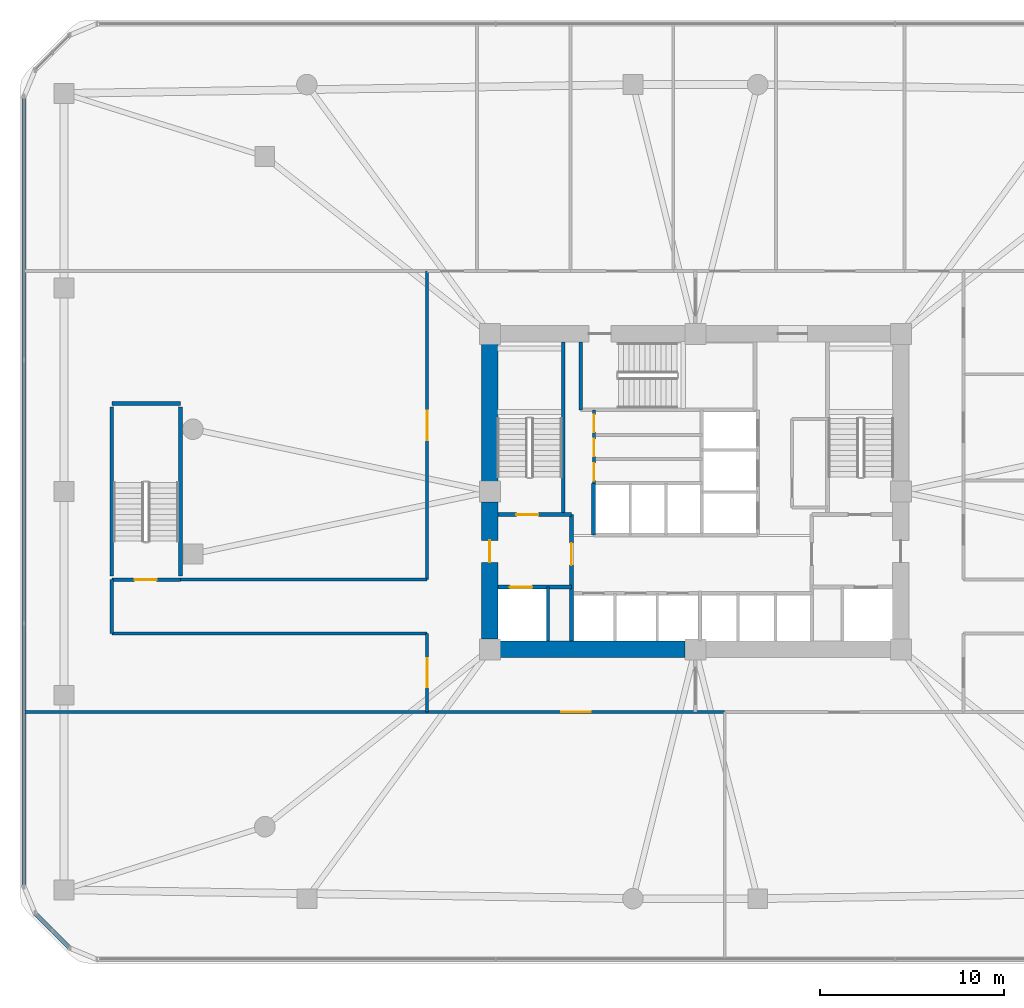
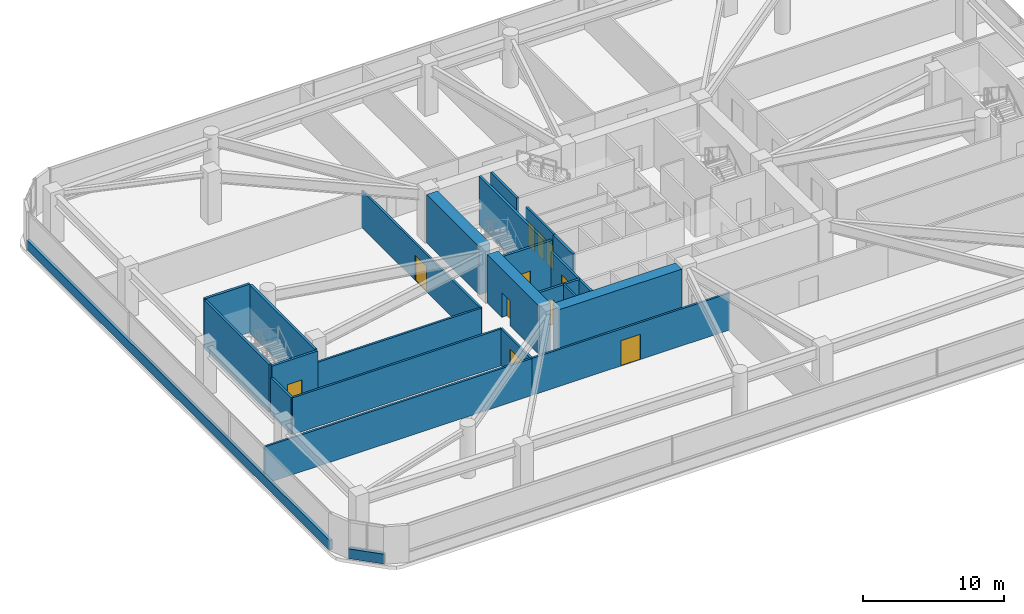
# One storey, part 16 of 21: 24 walls, 11 doors, 11 openings.
"""IFC4 building model written with IfcOpenShell, lengths in metres."""

from ifc_helpers import new_model, si_unit, derived_unit, direction, frame, frame_2d, origin, place, context, subcontext, project, spatial, rectangle, extrude, material, layer, layer_set, type_object, element, fill, save


model = new_model("IFC4")

# Units and contexts
model_context = context("Model", 3, precision=1e-05, world=origin(), true_north=direction((0.0, 1.0)))
body_context = subcontext(model_context, "Body", "Model", "MODEL_VIEW")
ifc_project = project(units=[si_unit("LENGTHUNIT", "METRE"), si_unit("AREAUNIT", "SQUARE_METRE"), si_unit("VOLUMEUNIT", "CUBIC_METRE"), si_unit("PLANEANGLEUNIT", "RADIAN"), si_unit("MASSUNIT", "GRAM", prefix="KILO"), derived_unit("THERMALTRANSMITTANCEUNIT", [(si_unit("POWERUNIT", "WATT"), 1), (si_unit("LENGTHUNIT", "METRE"), -2), (si_unit("THERMODYNAMICTEMPERATUREUNIT", "KELVIN"), -1)])], contexts=[model_context])

# Site, building, storey
site_placement = place(None, origin())
site = spatial("IfcSite", under=ifc_project, at=site_placement, CompositionType="ELEMENT")
building_placement = place(site_placement, origin())
building = spatial("IfcBuilding", under=site, at=building_placement, Name="Koralith Skygarden Medical Center", CompositionType="ELEMENT")
storey_placement = place(building_placement, frame((0.0, 0.0, 14.39990234375)))
storey = spatial("IfcBuildingStorey", under=building, at=storey_placement, Name="L03", CompositionType="ELEMENT", Elevation=14.39990234375)

# Walls
ifc_material_1 = material(Name="Gypsum Board Partition")
ifc_layer_1 = layer(ifc_material_1, 0.1650390625)
ifc_layer_set_1 = layer_set([ifc_layer_1], Name="Gypsum Board Partition")
wall_type_1 = type_object("IfcWallType", Name="Clinical Corridor Partition 165", PredefinedType="PARTITIONING", material=ifc_layer_set_1)
wall_1_placement = place(storey_placement, frame((0.43994140625, 13.889892578125, 0.0), z_axis=(0.0, 0.0, 1.0), x_axis=(1.0, 0.0, 0.0)))
element("IfcWall", 1, at=wall_1_placement, inside=storey, type_object=wall_type_1, Name="L03 Clinical Corridor Partition 165 W-WB-L03-SW", PredefinedType="PARTITIONING", context=body_context, shape_type="SweptSolid", body=[
    extrude(rectangle(XDim=21.949951171875, YDim=0.1650390625, at=frame_2d((10.97509765625, 0.0))), origin(), (0.0, 0.0, 1.0), 3.210205078125),
])
wall_2_placement = place(storey_placement, frame((5.199951171875, 18.169921875, 0.0), z_axis=(0.0, 0.0, 1.0), x_axis=(1.0, 0.0, 0.0)))
element("IfcWall", 2, at=wall_2_placement, inside=storey, type_object=wall_type_1, Name="L03 Clinical Corridor Partition 165 W-PARM-L03-WS", PredefinedType="PARTITIONING", context=body_context, shape_type="SweptSolid", body=[
    extrude(rectangle(XDim=17.18994140625, YDim=0.1650390625, at=frame_2d((8.594970703125, 0.0))), origin(), (0.0, 0.0, 1.0), 3.210205078125),
])
wall_3_placement = place(storey_placement, frame((5.199951171875, 18.169921875, 0.0), z_axis=(0.0, 0.0, 1.0), x_axis=(0.0, 1.0, 0.0)))
element("IfcWall", 3, at=wall_3_placement, inside=storey, type_object=wall_type_1, Name="L03 Clinical Corridor Partition 165 W-PARM-L03-WW", PredefinedType="PARTITIONING", context=body_context, shape_type="SweptSolid", body=[
    extrude(rectangle(XDim=2.93017578125, YDim=0.1650390625, at=frame_2d((1.465087890625, 0.0))), origin(), (0.0, 0.0, 1.0), 3.210205078125),
])
wall_4_placement = place(storey_placement, frame((8.949951171875, 21.10009765625, 0.0), z_axis=(0.0, 0.0, 1.0), x_axis=(1.0, 0.0, 0.0)))
element("IfcWall", 4, at=wall_4_placement, inside=storey, type_object=wall_type_1, Name="L03 Clinical Corridor Partition 165 W-PARM-L03-WN", PredefinedType="PARTITIONING", context=body_context, shape_type="SweptSolid", body=[
    extrude(rectangle(XDim=13.43994140625, YDim=0.1650390625, at=frame_2d((6.719970703125, 0.0))), origin(), (0.0, 0.0, 1.0), 3.210205078125),
])

# Wall, opening, door
wall_5_placement = place(storey_placement, frame((22.389892578125, 13.889892578125, 0.0), z_axis=(0.0, 0.0, 1.0), x_axis=(1.0, 0.0, 0.0)))
wall_5 = element("IfcWall", 5, at=wall_5_placement, inside=storey, type_object=wall_type_1, Name="L03 Clinical Corridor Partition 165 W-PDCOR-L03-S-1", PredefinedType="PARTITIONING", context=body_context, shape_type="SweptSolid", body=[
    extrude(rectangle(XDim=16.210205078125, YDim=0.1650390625, at=frame_2d((8.10498046875, 0.0))), origin(), (0.0, 0.0, 1.0), 3.210205078125),
])
opening_1_placement = place(wall_5_placement, frame((7.304931640625, 0.0, 0.0)))
opening_1 = element("IfcOpeningElement", 6, at=opening_1_placement, cuts=wall_5, Name="Opening D-DBL", PredefinedType="OPENING", context=body_context, shape_type="SweptSolid", body=[
    extrude(rectangle(XDim=1.60009765625, YDim=2.199951171875, at=frame_2d((0.800048828125, 1.10009765625))), frame((0.0, 0.092529296875, 0.0), z_axis=(0.0, -1.0, 0.0), x_axis=(1.0, 0.0, 0.0)), (0.0, 0.0, 1.0), 0.18505859375),
])
ifc_material_2 = material(Name="Aluminium 6063-T6", Category="aluminium")
door_type_1 = type_object("IfcDoorType", Name="Double Clinical Suite Door D-DBL 1600", OperationType="NOTDEFINED", PredefinedType="DOOR", material=ifc_material_2)
door_1_placement = place(opening_1_placement, frame((1.60009765625, 0.0, 0.0), z_axis=(0.0, 0.0, 1.0), x_axis=(-1.0, 0.0, 0.0)))
door_1 = element("IfcDoor", 7, at=door_1_placement, inside=storey, type_object=door_type_1, Name="L03 24-Station Renal Dialysis Treatment Hall Door", OperationType="DOUBLE_DOOR_SINGLE_SWING", OverallHeight=2.199951171875, OverallWidth=1.60009765625, PredefinedType="DOOR", context=body_context, shape_type="SweptSolid", body=[
    extrude(rectangle(XDim=1.60009765625, YDim=2.199951171875, at=frame_2d((0.800048828125, 1.10009765625))), frame((0.0, 0.02490234375, 0.0), z_axis=(0.0, -1.0, 0.0), x_axis=(1.0, 0.0, 0.0)), (0.0, 0.0, 1.0), 0.050048828125),
])
fill(opening_1, door_1)

wall_6_placement = place(storey_placement, frame((22.389892578125, 13.889892578125, 0.0), z_axis=(0.0, 0.0, 1.0), x_axis=(0.0, 1.0, 0.0)))
wall_6 = element("IfcWall", 8, at=wall_6_placement, inside=storey, type_object=wall_type_1, Name="L03 Clinical Corridor Partition 165 W-PDCOR-L03-W-1", PredefinedType="PARTITIONING", context=body_context, shape_type="SweptSolid", body=[
    extrude(rectangle(XDim=4.280029296875, YDim=0.1650390625, at=frame_2d((2.14013671875, 0.0))), origin(), (0.0, 0.0, 1.0), 3.210205078125),
])
opening_2_placement = place(wall_6_placement, frame((1.340087890625, 0.0, 0.0)))
opening_2 = element("IfcOpeningElement", 9, at=opening_2_placement, cuts=wall_6, Name="Opening D-DBL", PredefinedType="OPENING", context=body_context, shape_type="SweptSolid", body=[
    extrude(rectangle(XDim=1.60009765625, YDim=2.199951171875, at=frame_2d((0.800048828125, 1.10009765625))), frame((0.0, 0.092529296875, 0.0), z_axis=(0.0, -1.0, 0.0), x_axis=(1.0, 0.0, 0.0)), (0.0, 0.0, 1.0), 0.18505859375),
])
door_2_placement = place(opening_2_placement, frame((1.60009765625, 0.0, 0.0), z_axis=(0.0, 0.0, 1.0), x_axis=(-1.0, 0.0, 0.0)))
door_2 = element("IfcDoor", 10, at=door_2_placement, inside=storey, type_object=door_type_1, Name="L03 Electrophysiology Procedure Lab Door", OperationType="DOUBLE_DOOR_SINGLE_SWING", OverallHeight=2.199951171875, OverallWidth=1.60009765625, PredefinedType="DOOR", context=body_context, shape_type="SweptSolid", body=[
    extrude(rectangle(XDim=1.60009765625, YDim=2.199951171875, at=frame_2d((0.800048828125, 1.10009765625))), frame((0.0, 0.02490234375, 0.0), z_axis=(0.0, -1.0, 0.0), x_axis=(1.0, 0.0, 0.0)), (0.0, 0.0, 1.0), 0.050048828125),
])
fill(opening_2, door_2)

wall_7_placement = place(storey_placement, frame((22.389892578125, 21.10009765625, 0.0), z_axis=(0.0, 0.0, 1.0), x_axis=(0.0, 1.0, 0.0)))
wall_7 = element("IfcWall", 11, at=wall_7_placement, inside=storey, type_object=wall_type_1, Name="L03 Clinical Corridor Partition 165 W-PDCOR-L03-W-2", PredefinedType="PARTITIONING", context=body_context, shape_type="SweptSolid", body=[
    extrude(rectangle(XDim=16.809814453125, YDim=0.1650390625, at=frame_2d((8.40478515625, 0.0))), origin(), (0.0, 0.0, 1.0), 3.210205078125),
])
opening_3_placement = place(wall_7_placement, frame((7.60498046875, 0.0, 0.0)))
opening_3 = element("IfcOpeningElement", 12, at=opening_3_placement, cuts=wall_7, Name="Opening D-DBL", PredefinedType="OPENING", context=body_context, shape_type="SweptSolid", body=[
    extrude(rectangle(XDim=1.60009765625, YDim=2.199951171875, at=frame_2d((0.800048828125, 1.10009765625))), frame((0.0, 0.092529296875, 0.0), z_axis=(0.0, -1.0, 0.0), x_axis=(1.0, 0.0, 0.0)), (0.0, 0.0, 1.0), 0.18505859375),
])
door_3_placement = place(opening_3_placement, frame((1.60009765625, 0.0, 0.0), z_axis=(0.0, 0.0, 1.0), x_axis=(-1.0, 0.0, 0.0)))
door_3 = element("IfcDoor", 13, at=door_3_placement, inside=storey, type_object=door_type_1, Name="L03 Cardiovascular Outpatient Exercise Hall Door", OperationType="DOUBLE_DOOR_SINGLE_SWING", OverallHeight=2.199951171875, OverallWidth=1.60009765625, PredefinedType="DOOR", context=body_context, shape_type="SweptSolid", body=[
    extrude(rectangle(XDim=1.60009765625, YDim=2.199951171875, at=frame_2d((0.800048828125, 1.10009765625))), frame((0.0, 0.02490234375, 0.0), z_axis=(0.0, -1.0, 0.0), x_axis=(1.0, 0.0, 0.0)), (0.0, 0.0, 1.0), 0.050048828125),
])
fill(opening_3, door_3)

ifc_layer_2 = layer(ifc_material_1, 0.199951171875)
ifc_layer_set_2 = layer_set([ifc_layer_2], Name="Gypsum Board Partition")
wall_type_2 = type_object("IfcWallType", Name="Fire Shaft Wall 200", PredefinedType="SOLIDWALL", material=ifc_layer_set_2)
wall_8_placement = place(storey_placement, frame((26.25, 20.699951171875, 0.0), z_axis=(0.0, 0.0, 1.0), x_axis=(1.0, 0.0, 0.0)))
wall_8 = element("IfcWall", 14, at=wall_8_placement, inside=storey, type_object=wall_type_2, Name="L03 Fire Shaft Wall 200 W-CORE-L03-FF1-N", PredefinedType="SOLIDWALL", context=body_context, shape_type="SweptSolid", body=[
    extrude(rectangle(XDim=4.0, YDim=0.199951171875, at=frame_2d((2.0, 0.0))), origin(), (0.0, 0.0, 1.0), 3.210205078125),
])
opening_4_placement = place(wall_8_placement, frame((0.64990234375, 0.0, 0.0)))
opening_4 = element("IfcOpeningElement", 15, at=opening_4_placement, cuts=wall_8, Name="Opening LD-FF", PredefinedType="OPENING", context=body_context, shape_type="SweptSolid", body=[
    extrude(rectangle(XDim=1.199951171875, YDim=2.14990234375, at=frame_2d((0.60009765625, 1.074951171875))), frame((0.0, 0.10986328125, 0.0), z_axis=(0.0, -1.0, 0.0), x_axis=(1.0, 0.0, 0.0)), (0.0, 0.0, 1.0), 0.219970703125),
])
ifc_material_3 = material(Name="Steel ASTM A500 Grade C", Category="steel")
door_type_2 = type_object("IfcDoorType", Name="Fire Lift Sliding Landing Door LD-FF 1200", OperationType="NOTDEFINED", PredefinedType="DOOR", material=ifc_material_3)
door_4_placement = place(opening_4_placement, origin())
door_4 = element("IfcDoor", 16, at=door_4_placement, inside=storey, type_object=door_type_2, Name="L03 Fire Service Elevator FF1 Landing Door", OperationType="SLIDING_TO_LEFT", OverallHeight=2.14990234375, OverallWidth=1.199951171875, PredefinedType="DOOR", context=body_context, shape_type="SweptSolid", body=[
    extrude(rectangle(XDim=1.199951171875, YDim=2.14990234375, at=frame_2d((0.60009765625, 1.074951171875))), frame((0.0, 0.02490234375, 0.0), z_axis=(0.0, -1.0, 0.0), x_axis=(1.0, 0.0, 0.0)), (0.0, 0.0, 1.0), 0.050048828125),
])
fill(opening_4, door_4)

wall_9_placement = place(storey_placement, frame((30.25, 17.75, 0.0), z_axis=(0.0, 0.0, 1.0), x_axis=(0.0, 1.0, 0.0)))
wall_9 = element("IfcWall", 17, at=wall_9_placement, inside=storey, type_object=wall_type_2, Name="L03 Fire Shaft Wall 200 W-CORE-L03-FSAEW-E", PredefinedType="SOLIDWALL", context=body_context, shape_type="SweptSolid", body=[
    extrude(rectangle(XDim=6.89990234375, YDim=0.199951171875, at=frame_2d((3.449951171875, 0.0))), origin(), (0.0, 0.0, 1.0), 3.210205078125),
])
opening_5_placement = place(wall_9_placement, frame((4.14990234375, 0.0, 0.0)))
opening_5 = element("IfcOpeningElement", 18, at=opening_5_placement, cuts=wall_9, Name="Opening D-ST60", PredefinedType="OPENING", context=body_context, shape_type="SweptSolid", body=[
    extrude(rectangle(XDim=1.199951171875, YDim=2.14990234375, at=frame_2d((0.60009765625, 1.074951171875))), frame((0.0, 0.10986328125, 0.0), z_axis=(0.0, -1.0, 0.0), x_axis=(1.0, 0.0, 0.0)), (0.0, 0.0, 1.0), 0.219970703125),
])
door_type_3 = type_object("IfcDoorType", Name="Smokeproof Stair Fire Door FD60S 1200", OperationType="NOTDEFINED", PredefinedType="DOOR", material=ifc_material_3)
door_5_placement = place(opening_5_placement, origin())
door_5 = element("IfcDoor", 19, at=door_5_placement, inside=storey, type_object=door_type_3, Name="L03 West Firefighting Lobby Inner Fire Door", OperationType="SINGLE_SWING_LEFT", OverallHeight=2.14990234375, OverallWidth=1.199951171875, PredefinedType="DOOR", context=body_context, shape_type="SweptSolid", body=[
    extrude(rectangle(XDim=1.199951171875, YDim=2.14990234375, at=frame_2d((0.60009765625, 1.074951171875))), frame((0.0, 0.02490234375, 0.0), z_axis=(0.0, -1.0, 0.0), x_axis=(1.0, 0.0, 0.0)), (0.0, 0.0, 1.0), 0.050048828125),
])
fill(opening_5, door_5)

# Walls
wall_10_placement = place(storey_placement, frame((31.449951171875, 23.5400390625, 0.0), z_axis=(0.0, 0.0, 1.0), x_axis=(0.0, 1.0, 0.0)))
element("IfcWall", 20, at=wall_10_placement, inside=storey, type_object=wall_type_2, Name="L03 Fire Shaft Wall 200 W-CORE-L03-PH-W", PredefinedType="SOLIDWALL", context=body_context, shape_type="SweptSolid", body=[
    extrude(rectangle(XDim=2.81005859375, YDim=0.199951171875, at=frame_2d((1.405029296875, 0.0))), origin(), (0.0, 0.0, 1.0), 3.210205078125),
])
ifc_material_4 = material(Name="Warm Oolitic Limestone Cladding", Category="masonry")
ifc_layer_3 = layer(ifc_material_4, 0.239990234375)
ifc_layer_set_3 = layer_set([ifc_layer_3], Name="Warm Oolitic Limestone Cladding")
wall_type_3 = type_object("IfcWallType", Name="Limestone Spandrel Sill Backup Wall 240", PredefinedType="SOLIDWALL", material=ifc_layer_set_3)
wall_11_placement = place(storey_placement, frame((0.419921875, 47.4208984375, 0.0), z_axis=(0.0, 0.0, 1.0), x_axis=(0.0, -1.0, 0.0)))
element("IfcWall", 21, at=wall_11_placement, inside=storey, type_object=wall_type_3, Name="L03 Sill Spandrel Wall W", PredefinedType="SOLIDWALL", context=body_context, shape_type="SweptSolid", body=[
    extrude(rectangle(XDim=43.0419921875, YDim=0.239990234375, at=frame_2d((21.52099609375, 0.0))), origin(), (0.0, 0.0, 1.0), 0.85009765625),
])
wall_12_placement = place(storey_placement, frame((1.02099609375, 2.927978515625, 0.0), z_axis=(0.0, 0.0, 1.0), x_axis=(0.707106781187, -0.707106781187, 0.0)))
element("IfcWall", 22, at=wall_12_placement, inside=storey, type_object=wall_type_3, Name="L03 Sill Spandrel Wall SW", PredefinedType="SOLIDWALL", context=body_context, shape_type="SweptSolid", body=[
    extrude(rectangle(XDim=2.69677734375, YDim=0.239990234375, at=frame_2d((1.348388671875, 0.0))), origin(), (0.0, 0.0, 1.0), 0.85009765625),
])
ifc_material_5 = material(Name="Concrete C70/85", Category="concrete")
ifc_layer_4 = layer(ifc_material_5, 0.89990234375)
ifc_layer_set_4 = layer_set([ifc_layer_4], Name="Concrete C70/85")
wall_type_4 = type_object("IfcWallType", Name="Lower Core Shear Wall 900", PredefinedType="SHEAR", material=ifc_layer_set_4)
wall_13_placement = place(storey_placement, frame((26.364990234375, 17.300048828125, 0.0), z_axis=(0.0, 0.0, 1.0), x_axis=(1.0, 0.0, 0.0)))
element("IfcWall", 23, at=wall_13_placement, inside=storey, type_object=wall_type_4, Name="L03 Core Shear Wall Segment 1", PredefinedType="SHEAR", context=body_context, shape_type="SweptSolid", body=[
    extrude(rectangle(XDim=10.070068359375, YDim=0.89990234375, at=frame_2d((5.03515625, 0.0))), origin(), (0.0, 0.0, 1.0), 4.2001953125),
])
wall_14_placement = place(storey_placement, frame((25.800048828125, 33.93505859375, 0.0), z_axis=(0.0, 0.0, 1.0), x_axis=(0.0, -1.0, 0.0)))
element("IfcWall", 24, at=wall_14_placement, inside=storey, type_object=wall_type_4, Name="L03 Core Shear Wall Segment 7", PredefinedType="SHEAR", context=body_context, shape_type="SweptSolid", body=[
    extrude(rectangle(XDim=7.469970703125, YDim=0.89990234375, at=frame_2d((3.73486328125, 0.0))), origin(), (0.0, 0.0, 1.0), 4.2001953125),
])

# Wall, opening, door
wall_15_placement = place(storey_placement, frame((25.800048828125, 25.3349609375, 0.0), z_axis=(0.0, 0.0, 1.0), x_axis=(0.0, -1.0, 0.0)))
wall_15 = element("IfcWall", 25, at=wall_15_placement, inside=storey, type_object=wall_type_4, Name="L03 Core Shear Wall Segment 8", PredefinedType="SHEAR", context=body_context, shape_type="SweptSolid", body=[
    extrude(rectangle(XDim=7.469970703125, YDim=0.89990234375, at=frame_2d((3.73486328125, 0.0))), origin(), (0.0, 0.0, 1.0), 4.2001953125),
])
opening_6_placement = place(wall_15_placement, frame((2.0849609375, 0.0, 0.0)))
opening_6 = element("IfcOpeningElement", 26, at=opening_6_placement, cuts=wall_15, Name="Opening D-ST60", PredefinedType="OPENING", context=body_context, shape_type="SweptSolid", body=[
    extrude(rectangle(XDim=1.199951171875, YDim=2.14990234375, at=frame_2d((0.60009765625, 1.074951171875))), frame((0.0, 0.4599609375, 0.0), z_axis=(0.0, -1.0, 0.0), x_axis=(1.0, 0.0, 0.0)), (0.0, 0.0, 1.0), 0.919921875),
])
door_6_placement = place(opening_6_placement, frame((1.199951171875, 0.0, 0.0), z_axis=(0.0, 0.0, 1.0), x_axis=(-1.0, 0.0, 0.0)))
door_6 = element("IfcDoor", 27, at=door_6_placement, inside=storey, type_object=door_type_3, Name="L03 West Corridor to Firefighting Lobby Door", OperationType="SINGLE_SWING_LEFT", OverallHeight=2.14990234375, OverallWidth=1.199951171875, PredefinedType="DOOR", context=body_context, shape_type="SweptSolid", body=[
    extrude(rectangle(XDim=1.199951171875, YDim=2.14990234375, at=frame_2d((0.60009765625, 1.074951171875))), frame((0.0, 0.02490234375, 0.0), z_axis=(0.0, -1.0, 0.0), x_axis=(1.0, 0.0, 0.0)), (0.0, 0.0, 1.0), 0.050048828125),
])
fill(opening_6, door_6)

# Wall, openings, doors
ifc_layer_5 = layer(ifc_material_1, 0.1650390625)
ifc_layer_set_5 = layer_set([ifc_layer_5], Name="Gypsum Board Partition")
wall_type_5 = type_object("IfcWallType", Name="Plumbing Wet Wall 165", PredefinedType="PLUMBINGWALL", material=ifc_layer_set_5)
wall_16_placement = place(storey_placement, frame((31.47998046875, 26.320068359375, 0.0), z_axis=(0.0, 0.0, 1.0), x_axis=(0.0, 1.0, 0.0)))
wall_16 = element("IfcWall", 28, at=wall_16_placement, inside=storey, type_object=wall_type_5, Name="L03 Plumbing Wet Wall 165 W-CORE-L03-FLEX-W", PredefinedType="PLUMBINGWALL", context=body_context, shape_type="SweptSolid", body=[
    extrude(rectangle(XDim=4.0400390625, YDim=0.1650390625, at=frame_2d((2.02001953125, 0.0))), origin(), (0.0, 0.0, 1.0), 3.210205078125),
])
opening_7_placement = place(wall_16_placement, frame((0.179931640625, 0.0, 0.0)))
opening_7 = element("IfcOpeningElement", 29, at=opening_7_placement, cuts=wall_16, Name="Opening D-WC", PredefinedType="OPENING", context=body_context, shape_type="SweptSolid", body=[
    extrude(rectangle(XDim=0.949951171875, YDim=2.10009765625, at=frame_2d((0.47509765625, 1.050048828125))), frame((0.0, 0.092529296875, 0.0), z_axis=(0.0, -1.0, 0.0), x_axis=(1.0, 0.0, 0.0)), (0.0, 0.0, 1.0), 0.18505859375),
])
opening_8_placement = place(wall_16_placement, frame((1.5, 0.0, 0.0)))
opening_8 = element("IfcOpeningElement", 30, at=opening_8_placement, cuts=wall_16, Name="Opening D-WC", PredefinedType="OPENING", context=body_context, shape_type="SweptSolid", body=[
    extrude(rectangle(XDim=0.949951171875, YDim=2.10009765625, at=frame_2d((0.47509765625, 1.050048828125))), frame((0.0, 0.092529296875, 0.0), z_axis=(0.0, -1.0, 0.0), x_axis=(1.0, 0.0, 0.0)), (0.0, 0.0, 1.0), 0.18505859375),
])
opening_9_placement = place(wall_16_placement, frame((2.820068359375, 0.0, 0.0)))
opening_9 = element("IfcOpeningElement", 31, at=opening_9_placement, cuts=wall_16, Name="Opening D-WC", PredefinedType="OPENING", context=body_context, shape_type="SweptSolid", body=[
    extrude(rectangle(XDim=0.949951171875, YDim=2.10009765625, at=frame_2d((0.47509765625, 1.050048828125))), frame((0.0, 0.092529296875, 0.0), z_axis=(0.0, -1.0, 0.0), x_axis=(1.0, 0.0, 0.0)), (0.0, 0.0, 1.0), 0.18505859375),
])
door_type_4 = type_object("IfcDoorType", Name="Accessible Toilet Door D-WC 950", OperationType="NOTDEFINED", PredefinedType="DOOR", material=ifc_material_2)
door_7_placement = place(opening_7_placement, frame((0.949951171875, 0.0, 0.0), z_axis=(0.0, 0.0, 1.0), x_axis=(-1.0, 0.0, 0.0)))
door_7 = element("IfcDoor", 32, at=door_7_placement, inside=storey, type_object=door_type_4, Name="L03 Core Accessible WC Door", OperationType="SINGLE_SWING_LEFT", OverallHeight=2.10009765625, OverallWidth=0.949951171875, PredefinedType="DOOR", context=body_context, shape_type="SweptSolid", body=[
    extrude(rectangle(XDim=0.949951171875, YDim=2.10009765625, at=frame_2d((0.47509765625, 1.050048828125))), frame((0.0, 0.02490234375, 0.0), z_axis=(0.0, -1.0, 0.0), x_axis=(1.0, 0.0, 0.0)), (0.0, 0.0, 1.0), 0.050048828125),
])
fill(opening_7, door_7)
door_8_placement = place(opening_8_placement, frame((0.949951171875, 0.0, 0.0), z_axis=(0.0, 0.0, 1.0), x_axis=(-1.0, 0.0, 0.0)))
door_8 = element("IfcDoor", 33, at=door_8_placement, inside=storey, type_object=door_type_4, Name="L03 Staff Pantry Door", OperationType="SINGLE_SWING_LEFT", OverallHeight=2.10009765625, OverallWidth=0.949951171875, PredefinedType="DOOR", context=body_context, shape_type="SweptSolid", body=[
    extrude(rectangle(XDim=0.949951171875, YDim=2.10009765625, at=frame_2d((0.47509765625, 1.050048828125))), frame((0.0, 0.02490234375, 0.0), z_axis=(0.0, -1.0, 0.0), x_axis=(1.0, 0.0, 0.0)), (0.0, 0.0, 1.0), 0.050048828125),
])
fill(opening_8, door_8)
door_9_placement = place(opening_9_placement, frame((0.949951171875, 0.0, 0.0), z_axis=(0.0, 0.0, 1.0), x_axis=(-1.0, 0.0, 0.0)))
door_9 = element("IfcDoor", 34, at=door_9_placement, inside=storey, type_object=door_type_4, Name="L03 IT Comms Door", OperationType="SINGLE_SWING_RIGHT", OverallHeight=2.10009765625, OverallWidth=0.949951171875, PredefinedType="DOOR", context=body_context, shape_type="SweptSolid", body=[
    extrude(rectangle(XDim=0.949951171875, YDim=2.10009765625, at=frame_2d((0.47509765625, 1.050048828125))), frame((0.0, 0.02490234375, 0.0), z_axis=(0.0, -1.0, 0.0), x_axis=(1.0, 0.0, 0.0)), (0.0, 0.0, 1.0), 0.050048828125),
])
fill(opening_9, door_9)

# Walls
ifc_layer_6 = layer(ifc_material_1, 0.14990234375)
ifc_layer_set_6 = layer_set([ifc_layer_6], Name="Gypsum Board Partition")
wall_type_6 = type_object("IfcWallType", Name="Shaft Partition Wall 150", PredefinedType="PARTITIONING", material=ifc_layer_set_6)
wall_17_placement = place(storey_placement, frame((28.969970703125, 17.75, 0.0), z_axis=(0.0, 0.0, 1.0), x_axis=(0.0, 1.0, 0.0)))
element("IfcWall", 35, at=wall_17_placement, inside=storey, type_object=wall_type_6, Name="L03 Shaft Partition Wall 150 W-CORE-L03-RSRW-DIV", PredefinedType="PARTITIONING", context=body_context, shape_type="SweptSolid", body=[
    extrude(rectangle(XDim=2.949951171875, YDim=0.14990234375, at=frame_2d((1.47509765625, 0.0))), origin(), (0.0, 0.0, 1.0), 3.210205078125),
])
ifc_material_6 = material(Name="Concrete C45/55", Category="concrete")
ifc_layer_7 = layer(ifc_material_6, 0.199951171875)
ifc_layer_set_7 = layer_set([ifc_layer_7], Name="Concrete C45/55")
wall_type_7 = type_object("IfcWallType", Name="Structural Stair Shaft Wall 200", PredefinedType="SHEAR", material=ifc_layer_set_7)
wall_18_placement = place(storey_placement, frame((29.800048828125, 24.64990234375, 0.0), z_axis=(0.0, 0.0, 1.0), x_axis=(0.0, 1.0, 0.0)))
element("IfcWall", 36, at=wall_18_placement, inside=storey, type_object=wall_type_7, Name="L03 Structural Stair Shaft Wall 200 W-CORE-L03-ST1-E", PredefinedType="SHEAR", context=body_context, shape_type="SweptSolid", body=[
    extrude(rectangle(XDim=9.400146484375, YDim=0.199951171875, at=frame_2d((4.7001953125, 0.0))), origin(), (0.0, 0.0, 1.0), 4.2001953125),
])

# Wall, opening, door
wall_19_placement = place(storey_placement, frame((26.25, 24.64990234375, 0.0), z_axis=(0.0, 0.0, 1.0), x_axis=(1.0, 0.0, 0.0)))
wall_19 = element("IfcWall", 37, at=wall_19_placement, inside=storey, type_object=wall_type_7, Name="L03 Structural Stair Shaft Wall 200 W-CORE-L03-ST1-S", PredefinedType="SHEAR", context=body_context, shape_type="SweptSolid", body=[
    extrude(rectangle(XDim=4.0, YDim=0.199951171875, at=frame_2d((2.0, 0.0))), origin(), (0.0, 0.0, 1.0), 4.2001953125),
])
opening_10_placement = place(wall_19_placement, frame((1.0, 0.0, 0.0)))
opening_10 = element("IfcOpeningElement", 38, at=opening_10_placement, cuts=wall_19, Name="Opening D-ST60", PredefinedType="OPENING", context=body_context, shape_type="SweptSolid", body=[
    extrude(rectangle(XDim=1.199951171875, YDim=2.14990234375, at=frame_2d((0.60009765625, 1.074951171875))), frame((0.0, 0.10986328125, 0.0), z_axis=(0.0, -1.0, 0.0), x_axis=(1.0, 0.0, 0.0)), (0.0, 0.0, 1.0), 0.219970703125),
])
door_10_placement = place(opening_10_placement, origin())
door_10 = element("IfcDoor", 39, at=door_10_placement, inside=storey, type_object=door_type_3, Name="L03 Exit Stair ST1 Fire Door", OperationType="SINGLE_SWING_LEFT", OverallHeight=2.14990234375, OverallWidth=1.199951171875, PredefinedType="DOOR", context=body_context, shape_type="SweptSolid", body=[
    extrude(rectangle(XDim=1.199951171875, YDim=2.14990234375, at=frame_2d((0.60009765625, 1.074951171875))), frame((0.0, 0.02490234375, 0.0), z_axis=(0.0, -1.0, 0.0), x_axis=(1.0, 0.0, 0.0)), (0.0, 0.0, 1.0), 0.050048828125),
])
fill(opening_10, door_10)

# Wall
wall_20_placement = place(storey_placement, frame((30.75, 30.360107421875, 0.0), z_axis=(0.0, 0.0, 1.0), x_axis=(0.0, 1.0, 0.0)))
element("IfcWall", 40, at=wall_20_placement, inside=storey, type_object=wall_type_7, Name="L03 Structural Stair Shaft Wall 200 W-CORE-L03-ST3-W", PredefinedType="SHEAR", context=body_context, shape_type="SweptSolid", body=[
    extrude(rectangle(XDim=3.68994140625, YDim=0.199951171875, at=frame_2d((1.844970703125, 0.0))), origin(), (0.0, 0.0, 1.0), 4.2001953125),
])

# Wall, opening, door
wall_21_placement = place(storey_placement, frame((5.199951171875, 21.10009765625, 0.0), z_axis=(0.0, 0.0, 1.0), x_axis=(1.0, 0.0, 0.0)))
wall_21 = element("IfcWall", 41, at=wall_21_placement, inside=storey, type_object=wall_type_7, Name="L03 Structural Stair Shaft Wall 200 W-ST4-L03-S", PredefinedType="SHEAR", context=body_context, shape_type="SweptSolid", body=[
    extrude(rectangle(XDim=3.75, YDim=0.199951171875, at=frame_2d((1.875, 0.0))), origin(), (0.0, 0.0, 1.0), 4.2001953125),
])
opening_11_placement = place(wall_21_placement, frame((1.25, 0.0, 0.0)))
opening_11 = element("IfcOpeningElement", 42, at=opening_11_placement, cuts=wall_21, Name="Opening D-ST60", PredefinedType="OPENING", context=body_context, shape_type="SweptSolid", body=[
    extrude(rectangle(XDim=1.199951171875, YDim=2.14990234375, at=frame_2d((0.60009765625, 1.074951171875))), frame((0.0, 0.10986328125, 0.0), z_axis=(0.0, -1.0, 0.0), x_axis=(1.0, 0.0, 0.0)), (0.0, 0.0, 1.0), 0.219970703125),
])
door_11_placement = place(opening_11_placement, origin())
door_11 = element("IfcDoor", 43, at=door_11_placement, inside=storey, type_object=door_type_3, Name="L03 Exit Stair ST4 Fire Door", OperationType="SINGLE_SWING_LEFT", OverallHeight=2.14990234375, OverallWidth=1.199951171875, PredefinedType="DOOR", context=body_context, shape_type="SweptSolid", body=[
    extrude(rectangle(XDim=1.199951171875, YDim=2.14990234375, at=frame_2d((0.60009765625, 1.074951171875))), frame((0.0, 0.02490234375, 0.0), z_axis=(0.0, -1.0, 0.0), x_axis=(1.0, 0.0, 0.0)), (0.0, 0.0, 1.0), 0.050048828125),
])
fill(opening_11, door_11)

# Walls
wall_22_placement = place(storey_placement, frame((5.199951171875, 30.699951171875, 0.0), z_axis=(0.0, 0.0, 1.0), x_axis=(1.0, 0.0, 0.0)))
element("IfcWall", 44, at=wall_22_placement, inside=storey, type_object=wall_type_7, Name="L03 Structural Stair Shaft Wall 200 W-ST4-L03-N", PredefinedType="SHEAR", context=body_context, shape_type="SweptSolid", body=[
    extrude(rectangle(XDim=3.75, YDim=0.199951171875, at=frame_2d((1.875, 0.0))), origin(), (0.0, 0.0, 1.0), 4.2001953125),
])
for number, where, z_axis, x_axis, name in (
    (45, (5.199951171875, 21.300048828125, 0.0), (0.0, 0.0, 1.0), (0.0, 1.0, 0.0), "L03 Structural Stair Shaft Wall 200 W-ST4-L03-W"),
    (46, (8.949951171875, 21.300048828125, 0.0), (0.0, 0.0, 1.0), (0.0, 1.0, 0.0), "L03 Structural Stair Shaft Wall 200 W-ST4-L03-E"),
):
    element("IfcWall", number, at=place(storey_placement, frame(where, z_axis=z_axis, x_axis=x_axis)), inside=storey, type_object=wall_type_7, Name=name, PredefinedType="SHEAR", context=body_context, shape_type="SweptSolid", body=[
        extrude(rectangle(XDim=9.199951171875, YDim=0.199951171875, at=frame_2d((4.60009765625, 0.0))), origin(), (0.0, 0.0, 1.0), 4.2001953125),
    ])

save(model, "model.ifc")
